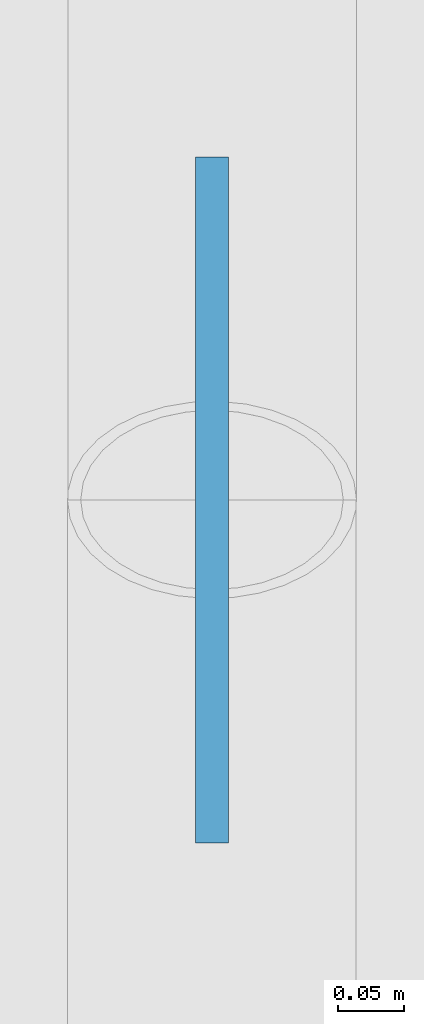
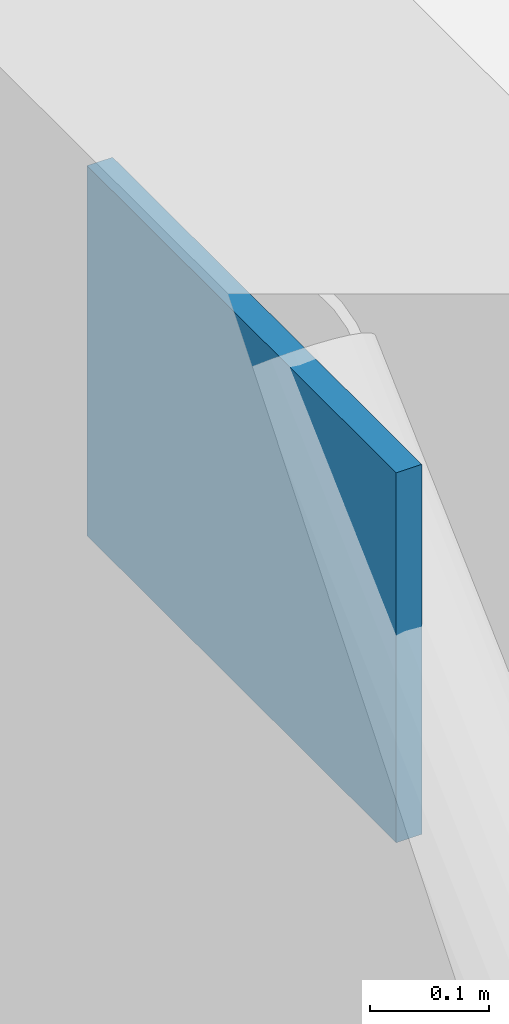
# One storey, part 40 of 51: 1 discrete accessory.
"""IFC4 building model written with IfcOpenShell, lengths in metres."""

from ifc_helpers import new_model, si_unit, direction, frame, origin, origin_2d, place, context, subcontext, project, spatial, rectangle, extrude, material, type_object, element, save


model = new_model("IFC4")

# Units and contexts
model_context = context("Model", 3, precision=1e-05, world=origin(), true_north=direction((0.0, 1.0)))
body_context = subcontext(model_context, "Body", "Model", "MODEL_VIEW")
ifc_project = project(units=[si_unit("LENGTHUNIT", "METRE"), si_unit("AREAUNIT", "SQUARE_METRE"), si_unit("VOLUMEUNIT", "CUBIC_METRE"), si_unit("PLANEANGLEUNIT", "RADIAN"), si_unit("MASSUNIT", "GRAM", prefix="KILO")], contexts=[model_context])

# Site, building, storey
site_placement = place(None, origin())
site = spatial("IfcSite", under=ifc_project, at=site_placement, CompositionType="ELEMENT")
building_placement = place(site_placement, origin())
building = spatial("IfcBuilding", under=site, at=building_placement, Name="Qalvenar Corner Mobility Hub", CompositionType="ELEMENT")
storey_placement = place(building_placement, frame((0.0, 0.0, -4.5)))
storey = spatial("IfcBuildingStorey", under=building, at=storey_placement, Name="B1", CompositionType="ELEMENT", Elevation=-4.5)

# Discrete accessory
ifc_material = material(Name="Steel S355", Category="steel")
discrete_accessory_type = type_object("IfcDiscreteAccessoryType", Name="ACC-GUSSET-PLT", PredefinedType="BRACKET", material=ifc_material)
discrete_accessory_placement = place(storey_placement, frame((0.0, 29.39990234375, 3.630126953125), z_axis=(0.0, 0.0, 1.0), x_axis=(0.0, 1.0, 0.0)))
element("IfcDiscreteAccessory", 1, at=discrete_accessory_placement, inside=storey, type_object=discrete_accessory_type, Name="Chevron Apex Gusset Plate GP-A-016", PredefinedType="BRACKET", context=body_context, shape_type="SweptSolid", body=[
    extrude(rectangle(XDim=0.52001953125, YDim=0.02490234375, at=origin_2d()), origin(), (0.0, 0.0, 1.0), 0.3798828125),
])

save(model, "model.ifc")
